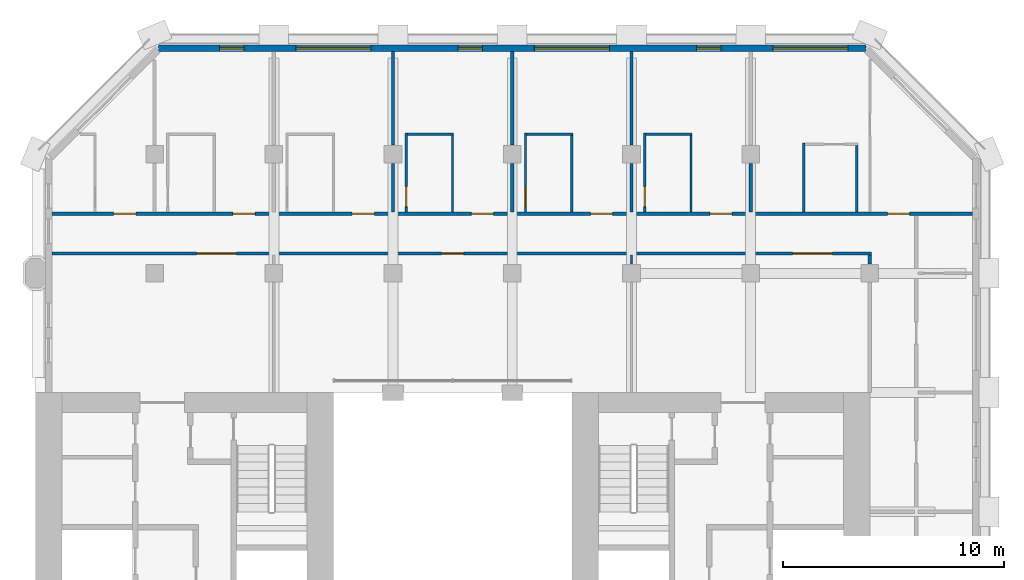
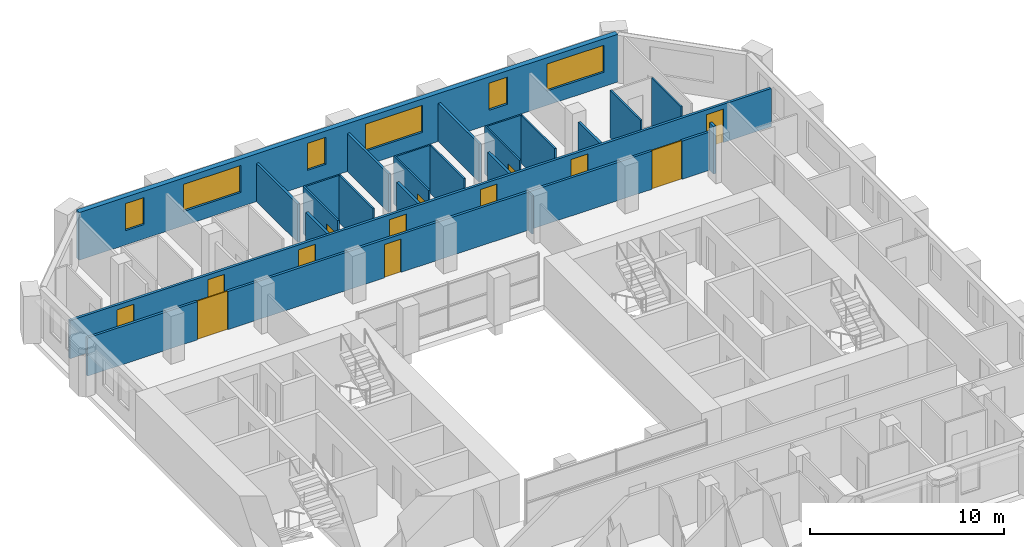
# One storey, part 8 of 12: 23 walls, 13 doors, 6 windows, 19 openings.
"""IFC4 building model written with IfcOpenShell, lengths in metres."""

from ifc_helpers import new_model, si_unit, direction, frame, frame_2d, origin, place, context, subcontext, project, spatial, rectangle, extrude, material, layer, layer_set, type_object, element, fill, save


model = new_model("IFC4")

# Units and contexts
model_context = context("Model", 3, precision=1e-05, world=origin(), true_north=direction((0.0, 1.0)))
body_context = subcontext(model_context, "Body", "Model", "MODEL_VIEW")
ifc_project = project(units=[si_unit("LENGTHUNIT", "METRE"), si_unit("AREAUNIT", "SQUARE_METRE"), si_unit("VOLUMEUNIT", "CUBIC_METRE"), si_unit("PLANEANGLEUNIT", "RADIAN"), si_unit("MASSUNIT", "GRAM", prefix="KILO")], contexts=[model_context])

# Site, building, storey
site_placement = place(None, origin())
site = spatial("IfcSite", under=ifc_project, at=site_placement, CompositionType="ELEMENT")
building_placement = place(site_placement, origin())
building = spatial("IfcBuilding", under=site, at=building_placement, Name="Tabaq Tower and Sports Hall", CompositionType="ELEMENT")
storey_placement = place(building_placement, frame((0.0, 0.0, 187.300048828125)))
storey = spatial("IfcBuildingStorey", under=building, at=storey_placement, Name="L45", CompositionType="ELEMENT", Elevation=187.300048828125)

# Wall, opening, door
ifc_material_1 = material(Name="Gypsum board on steel studs", Category="steel")
ifc_layer_1 = layer(ifc_material_1, 0.10009765625)
ifc_layer_set_1 = layer_set([ifc_layer_1], Name="Partition 100 Gypsum board")
wall_type_1 = type_object("IfcWallType", Name="Partition 100 Gypsum board", PredefinedType="PARTITIONING", material=ifc_layer_set_1)
wall_1_placement = place(storey_placement, frame((22.199951171875, 40.574951171875, 0.0), z_axis=(0.0, 0.0, 1.0), x_axis=(0.0, 1.0, 0.0)))
wall_1 = element("IfcWall", 1, at=wall_1_placement, inside=storey, type_object=wall_type_1, Name="Partition wall L45", PredefinedType="PARTITIONING", context=body_context, shape_type="SweptSolid", body=[
    extrude(rectangle(XDim=3.574951171875, YDim=0.10009765625, at=frame_2d((1.78759765625, 0.0))), origin(), (0.0, 0.0, 1.0), 3.0),
])
opening_1_placement = place(wall_1_placement, frame((0.25, 0.0, 0.0)))
opening_1 = element("IfcOpeningElement", 2, at=opening_1_placement, cuts=wall_1, Name="Opening L45-005", PredefinedType="OPENING", context=body_context, shape_type="SweptSolid", body=[
    extrude(rectangle(XDim=0.89990234375, YDim=2.10009765625, at=frame_2d((0.449951171875, 1.050048828125))), frame((0.0, 0.050048828125, 0.0), z_axis=(0.0, -1.0, 0.0), x_axis=(1.0, 0.0, 0.0)), (0.0, 0.0, 1.0), 0.10009765625),
])
ifc_material_2 = material(Name="Timber leaf in steel frame", Category="steel")
door_type_1 = type_object("IfcDoorType", Name="Internal door 900 left hand", OperationType="SINGLE_SWING_LEFT", PredefinedType="DOOR", material=ifc_material_2)
door_1_placement = place(opening_1_placement, origin())
door_1 = element("IfcDoor", 3, at=door_1_placement, inside=storey, type_object=door_type_1, Name="Internal door L45-005", OperationType="SINGLE_SWING_LEFT", OverallHeight=2.10009765625, OverallWidth=0.89990234375, PredefinedType="DOOR", context=body_context, shape_type="SweptSolid", body=[
    extrude(rectangle(XDim=0.89990234375, YDim=2.10009765625, at=frame_2d((0.449951171875, 1.050048828125))), frame((0.0, 0.02490234375, 0.0), z_axis=(0.0, -1.0, 0.0), x_axis=(1.0, 0.0, 0.0)), (0.0, 0.0, 1.0), 0.050048828125),
])
fill(opening_1, door_1)

# Walls
wall_2_placement = place(storey_placement, frame((22.25, 44.10009765625, 0.0), z_axis=(0.0, 0.0, 1.0), x_axis=(1.0, 0.0, 0.0)))
element("IfcWall", 4, at=wall_2_placement, inside=storey, type_object=wall_type_1, Name="Partition wall L45", PredefinedType="PARTITIONING", context=body_context, shape_type="SweptSolid", body=[
    extrude(rectangle(XDim=2.10009765625, YDim=0.10009765625, at=frame_2d((1.050048828125, 0.0))), origin(), (0.0, 0.0, 1.0), 3.0),
])
wall_3_placement = place(storey_placement, frame((24.300048828125, 44.050048828125, 0.0), z_axis=(0.0, 0.0, 1.0), x_axis=(0.0, -1.0, 0.0)))
element("IfcWall", 5, at=wall_3_placement, inside=storey, type_object=wall_type_1, Name="Partition wall L45", PredefinedType="PARTITIONING", context=body_context, shape_type="SweptSolid", body=[
    extrude(rectangle(XDim=3.47509765625, YDim=0.10009765625, at=frame_2d((1.737548828125, 0.0))), origin(), (0.0, 0.0, 1.0), 3.0),
])

# Wall, opening, door
wall_4_placement = place(storey_placement, frame((27.60009765625, 40.574951171875, 0.0), z_axis=(0.0, 0.0, 1.0), x_axis=(0.0, 1.0, 0.0)))
wall_4 = element("IfcWall", 6, at=wall_4_placement, inside=storey, type_object=wall_type_1, Name="Partition wall L45", PredefinedType="PARTITIONING", context=body_context, shape_type="SweptSolid", body=[
    extrude(rectangle(XDim=3.574951171875, YDim=0.10009765625, at=frame_2d((1.78759765625, 0.0))), origin(), (0.0, 0.0, 1.0), 3.0),
])
opening_2_placement = place(wall_4_placement, frame((0.25, 0.0, 0.0)))
opening_2 = element("IfcOpeningElement", 7, at=opening_2_placement, cuts=wall_4, Name="Opening L45-006", PredefinedType="OPENING", context=body_context, shape_type="SweptSolid", body=[
    extrude(rectangle(XDim=0.89990234375, YDim=2.10009765625, at=frame_2d((0.449951171875, 1.050048828125))), frame((0.0, 0.050048828125, 0.0), z_axis=(0.0, -1.0, 0.0), x_axis=(1.0, 0.0, 0.0)), (0.0, 0.0, 1.0), 0.10009765625),
])
ifc_material_3 = material(Name="Timber leaf in steel frame", Category="steel")
door_type_2 = type_object("IfcDoorType", Name="Internal door 900 right hand", OperationType="SINGLE_SWING_RIGHT", PredefinedType="DOOR", material=ifc_material_3)
door_2_placement = place(opening_2_placement, origin())
door_2 = element("IfcDoor", 8, at=door_2_placement, inside=storey, type_object=door_type_2, Name="Internal door L45-006", OperationType="SINGLE_SWING_RIGHT", OverallHeight=2.10009765625, OverallWidth=0.89990234375, PredefinedType="DOOR", context=body_context, shape_type="SweptSolid", body=[
    extrude(rectangle(XDim=0.89990234375, YDim=2.10009765625, at=frame_2d((0.449951171875, 1.050048828125))), frame((0.0, 0.02490234375, 0.0), z_axis=(0.0, -1.0, 0.0), x_axis=(1.0, 0.0, 0.0)), (0.0, 0.0, 1.0), 0.050048828125),
])
fill(opening_2, door_2)

# Walls
wall_5_placement = place(storey_placement, frame((27.64990234375, 44.10009765625, 0.0), z_axis=(0.0, 0.0, 1.0), x_axis=(1.0, 0.0, 0.0)))
element("IfcWall", 9, at=wall_5_placement, inside=storey, type_object=wall_type_1, Name="Partition wall L45", PredefinedType="PARTITIONING", context=body_context, shape_type="SweptSolid", body=[
    extrude(rectangle(XDim=2.10009765625, YDim=0.10009765625, at=frame_2d((1.050048828125, 0.0))), origin(), (0.0, 0.0, 1.0), 3.0),
])
wall_6_placement = place(storey_placement, frame((29.699951171875, 44.050048828125, 0.0), z_axis=(0.0, 0.0, 1.0), x_axis=(0.0, -1.0, 0.0)))
element("IfcWall", 10, at=wall_6_placement, inside=storey, type_object=wall_type_1, Name="Partition wall L45", PredefinedType="PARTITIONING", context=body_context, shape_type="SweptSolid", body=[
    extrude(rectangle(XDim=3.47509765625, YDim=0.10009765625, at=frame_2d((1.737548828125, 0.0))), origin(), (0.0, 0.0, 1.0), 3.0),
])

# Wall, opening, door
wall_7_placement = place(storey_placement, frame((33.0, 40.574951171875, 0.0), z_axis=(0.0, 0.0, 1.0), x_axis=(0.0, 1.0, 0.0)))
wall_7 = element("IfcWall", 11, at=wall_7_placement, inside=storey, type_object=wall_type_1, Name="Partition wall L45", PredefinedType="PARTITIONING", context=body_context, shape_type="SweptSolid", body=[
    extrude(rectangle(XDim=3.574951171875, YDim=0.10009765625, at=frame_2d((1.78759765625, 0.0))), origin(), (0.0, 0.0, 1.0), 3.0),
])
opening_3_placement = place(wall_7_placement, frame((0.25, 0.0, 0.0)))
opening_3 = element("IfcOpeningElement", 12, at=opening_3_placement, cuts=wall_7, Name="Opening L45-007", PredefinedType="OPENING", context=body_context, shape_type="SweptSolid", body=[
    extrude(rectangle(XDim=0.89990234375, YDim=2.10009765625, at=frame_2d((0.449951171875, 1.050048828125))), frame((0.0, 0.050048828125, 0.0), z_axis=(0.0, -1.0, 0.0), x_axis=(1.0, 0.0, 0.0)), (0.0, 0.0, 1.0), 0.10009765625),
])
door_3_placement = place(opening_3_placement, origin())
door_3 = element("IfcDoor", 13, at=door_3_placement, inside=storey, type_object=door_type_2, Name="Internal door L45-007", OperationType="SINGLE_SWING_RIGHT", OverallHeight=2.10009765625, OverallWidth=0.89990234375, PredefinedType="DOOR", context=body_context, shape_type="SweptSolid", body=[
    extrude(rectangle(XDim=0.89990234375, YDim=2.10009765625, at=frame_2d((0.449951171875, 1.050048828125))), frame((0.0, 0.02490234375, 0.0), z_axis=(0.0, -1.0, 0.0), x_axis=(1.0, 0.0, 0.0)), (0.0, 0.0, 1.0), 0.050048828125),
])
fill(opening_3, door_3)

# Walls
wall_8_placement = place(storey_placement, frame((33.050048828125, 44.10009765625, 0.0), z_axis=(0.0, 0.0, 1.0), x_axis=(1.0, 0.0, 0.0)))
element("IfcWall", 14, at=wall_8_placement, inside=storey, type_object=wall_type_1, Name="Partition wall L45", PredefinedType="PARTITIONING", context=body_context, shape_type="SweptSolid", body=[
    extrude(rectangle(XDim=2.099853515625, YDim=0.10009765625, at=frame_2d((1.0498046875, 0.0))), origin(), (0.0, 0.0, 1.0), 3.0),
])
wall_9_placement = place(storey_placement, frame((35.10009765625, 44.050048828125, 0.0), z_axis=(0.0, 0.0, 1.0), x_axis=(0.0, -1.0, 0.0)))
element("IfcWall", 15, at=wall_9_placement, inside=storey, type_object=wall_type_1, Name="Partition wall L45", PredefinedType="PARTITIONING", context=body_context, shape_type="SweptSolid", body=[
    extrude(rectangle(XDim=3.47509765625, YDim=0.10009765625, at=frame_2d((1.737548828125, 0.0))), origin(), (0.0, 0.0, 1.0), 3.0),
])
wall_10_placement = place(storey_placement, frame((40.199951171875, 40.574951171875, 0.0), z_axis=(0.0, 0.0, 1.0), x_axis=(0.0, 1.0, 0.0)))
element("IfcWall", 16, at=wall_10_placement, inside=storey, type_object=wall_type_1, Name="Partition wall L45", PredefinedType="PARTITIONING", context=body_context, shape_type="SweptSolid", body=[
    extrude(rectangle(XDim=3.125, YDim=0.10009765625, at=frame_2d((1.5625, 0.0))), origin(), (0.0, 0.0, 1.0), 3.0),
])
wall_11_placement = place(storey_placement, frame((42.60009765625, 43.60009765625, 0.0), z_axis=(0.0, 0.0, 1.0), x_axis=(0.0, -1.0, 0.0)))
element("IfcWall", 17, at=wall_11_placement, inside=storey, type_object=wall_type_1, Name="Partition wall L45", PredefinedType="PARTITIONING", context=body_context, shape_type="SweptSolid", body=[
    extrude(rectangle(XDim=3.025146484375, YDim=0.10009765625, at=frame_2d((1.5126953125, 0.0))), origin(), (0.0, 0.0, 1.0), 3.0),
])
wall_12_placement = place(storey_placement, frame((32.39990234375, 38.219970703125, 0.0), z_axis=(0.0, 0.0, 1.0), x_axis=(0.0, 1.0, 0.0)))
element("IfcWall", 18, at=wall_12_placement, inside=storey, type_object=wall_type_1, Name="Partition wall L45", PredefinedType="PARTITIONING", context=body_context, shape_type="SweptSolid", body=[
    extrude(rectangle(XDim=0.405029296875, YDim=0.10009765625, at=frame_2d((0.20263671875, 0.0))), origin(), (0.0, 0.0, 1.0), 2.39990234375),
])
ifc_material_4 = material(Name="Blockwork", Category="masonry")
ifc_layer_2 = layer(ifc_material_4, 0.14990234375)
ifc_layer_set_2 = layer_set([ifc_layer_2], Name="Separating wall 150 Blockwork")
wall_type_2 = type_object("IfcWallType", Name="Separating wall 150 Blockwork", PredefinedType="PARTITIONING", material=ifc_layer_set_2)
wall_13_placement = place(storey_placement, frame((21.60009765625, 40.574951171875, 0.0), z_axis=(0.0, 0.0, 1.0), x_axis=(0.0, 1.0, 0.0)))
element("IfcWall", 19, at=wall_13_placement, inside=storey, type_object=wall_type_2, Name="Separating wall L45", PredefinedType="PARTITIONING", context=body_context, shape_type="SweptSolid", body=[
    extrude(rectangle(XDim=2.205078125, YDim=0.14990234375, at=frame_2d((1.1025390625, 0.0))), origin(), (0.0, 0.0, 1.0), 2.39990234375),
])
wall_14_placement = place(storey_placement, frame((21.60009765625, 43.6201171875, 0.0), z_axis=(0.0, 0.0, 1.0), x_axis=(0.0, 1.0, 0.0)))
element("IfcWall", 20, at=wall_14_placement, inside=storey, type_object=wall_type_2, Name="Separating wall L45", PredefinedType="PARTITIONING", context=body_context, shape_type="SweptSolid", body=[
    extrude(rectangle(XDim=4.22900390625, YDim=0.14990234375, at=frame_2d((2.114501953125, 0.0))), origin(), (0.0, 0.0, 1.0), 2.39990234375),
])
wall_15_placement = place(storey_placement, frame((27.0, 40.574951171875, 0.0), z_axis=(0.0, 0.0, 1.0), x_axis=(0.0, 1.0, 0.0)))
element("IfcWall", 21, at=wall_15_placement, inside=storey, type_object=wall_type_2, Name="Separating wall L45", PredefinedType="PARTITIONING", context=body_context, shape_type="SweptSolid", body=[
    extrude(rectangle(XDim=2.205078125, YDim=0.14990234375, at=frame_2d((1.1025390625, 0.0))), origin(), (0.0, 0.0, 1.0), 2.39990234375),
])
wall_16_placement = place(storey_placement, frame((27.0, 43.6201171875, 0.0), z_axis=(0.0, 0.0, 1.0), x_axis=(0.0, 1.0, 0.0)))
element("IfcWall", 22, at=wall_16_placement, inside=storey, type_object=wall_type_2, Name="Separating wall L45", PredefinedType="PARTITIONING", context=body_context, shape_type="SweptSolid", body=[
    extrude(rectangle(XDim=4.22900390625, YDim=0.14990234375, at=frame_2d((2.114501953125, 0.0))), origin(), (0.0, 0.0, 1.0), 2.39990234375),
])
wall_17_placement = place(storey_placement, frame((32.39990234375, 40.574951171875, 0.0), z_axis=(0.0, 0.0, 1.0), x_axis=(0.0, 1.0, 0.0)))
element("IfcWall", 23, at=wall_17_placement, inside=storey, type_object=wall_type_2, Name="Separating wall L45", PredefinedType="PARTITIONING", context=body_context, shape_type="SweptSolid", body=[
    extrude(rectangle(XDim=2.205078125, YDim=0.14990234375, at=frame_2d((1.1025390625, 0.0))), origin(), (0.0, 0.0, 1.0), 2.39990234375),
])
wall_18_placement = place(storey_placement, frame((32.39990234375, 43.6201171875, 0.0), z_axis=(0.0, 0.0, 1.0), x_axis=(0.0, 1.0, 0.0)))
element("IfcWall", 24, at=wall_18_placement, inside=storey, type_object=wall_type_2, Name="Separating wall L45", PredefinedType="PARTITIONING", context=body_context, shape_type="SweptSolid", body=[
    extrude(rectangle(XDim=4.22900390625, YDim=0.14990234375, at=frame_2d((2.114501953125, 0.0))), origin(), (0.0, 0.0, 1.0), 2.39990234375),
])
wall_19_placement = place(storey_placement, frame((37.800048828125, 40.574951171875, 0.0), z_axis=(0.0, 0.0, 1.0), x_axis=(0.0, 1.0, 0.0)))
element("IfcWall", 25, at=wall_19_placement, inside=storey, type_object=wall_type_2, Name="Separating wall L45", PredefinedType="PARTITIONING", context=body_context, shape_type="SweptSolid", body=[
    extrude(rectangle(XDim=2.205078125, YDim=0.14990234375, at=frame_2d((1.1025390625, 0.0))), origin(), (0.0, 0.0, 1.0), 2.39990234375),
])

# Wall, openings, doors
wall_20_placement = place(storey_placement, frame((47.84912109375, 40.5, 0.0), z_axis=(0.0, 0.0, 1.0), x_axis=(-1.0, 0.0, 0.0)))
wall_20 = element("IfcWall", 26, at=wall_20_placement, inside=storey, type_object=wall_type_2, Name="Separating wall L45", PredefinedType="PARTITIONING", context=body_context, shape_type="SweptSolid", body=[
    extrude(rectangle(XDim=41.6982421875, YDim=0.14990234375, at=frame_2d((20.84912109375, 0.0))), origin(), (0.0, 0.0, 1.0), 2.39990234375),
])
opening_4_placement = place(wall_20_placement, frame((37.89892578125, 0.0, 0.0)))
opening_4 = element("IfcOpeningElement", 27, at=opening_4_placement, cuts=wall_20, Name="Opening L45-023", PredefinedType="OPENING", context=body_context, shape_type="SweptSolid", body=[
    extrude(rectangle(XDim=1.0, YDim=2.10009765625, at=frame_2d((0.5, 1.050048828125))), frame((0.0, 0.074951171875, 0.0), z_axis=(0.0, -1.0, 0.0), x_axis=(1.0, 0.0, 0.0)), (0.0, 0.0, 1.0), 0.14990234375),
])
opening_5_placement = place(wall_20_placement, frame((32.4990234375, 0.0, 0.0)))
opening_5 = element("IfcOpeningElement", 28, at=opening_5_placement, cuts=wall_20, Name="Opening L45-024", PredefinedType="OPENING", context=body_context, shape_type="SweptSolid", body=[
    extrude(rectangle(XDim=1.0, YDim=2.10009765625, at=frame_2d((0.5, 1.050048828125))), frame((0.0, 0.074951171875, 0.0), z_axis=(0.0, -1.0, 0.0), x_axis=(1.0, 0.0, 0.0)), (0.0, 0.0, 1.0), 0.14990234375),
])
opening_6_placement = place(wall_20_placement, frame((27.09912109375, 0.0, 0.0)))
opening_6 = element("IfcOpeningElement", 29, at=opening_6_placement, cuts=wall_20, Name="Opening L45-025", PredefinedType="OPENING", context=body_context, shape_type="SweptSolid", body=[
    extrude(rectangle(XDim=1.0, YDim=2.10009765625, at=frame_2d((0.5, 1.050048828125))), frame((0.0, 0.074951171875, 0.0), z_axis=(0.0, -1.0, 0.0), x_axis=(1.0, 0.0, 0.0)), (0.0, 0.0, 1.0), 0.14990234375),
])
opening_7_placement = place(wall_20_placement, frame((21.698974609375, 0.0, 0.0)))
opening_7 = element("IfcOpeningElement", 30, at=opening_7_placement, cuts=wall_20, Name="Opening L45-026", PredefinedType="OPENING", context=body_context, shape_type="SweptSolid", body=[
    extrude(rectangle(XDim=1.0, YDim=2.10009765625, at=frame_2d((0.5, 1.050048828125))), frame((0.0, 0.074951171875, 0.0), z_axis=(0.0, -1.0, 0.0), x_axis=(1.0, 0.0, 0.0)), (0.0, 0.0, 1.0), 0.14990234375),
])
opening_8_placement = place(wall_20_placement, frame((16.299072265625, 0.0, 0.0)))
opening_8 = element("IfcOpeningElement", 31, at=opening_8_placement, cuts=wall_20, Name="Opening L45-027", PredefinedType="OPENING", context=body_context, shape_type="SweptSolid", body=[
    extrude(rectangle(XDim=1.0, YDim=2.10009765625, at=frame_2d((0.5, 1.050048828125))), frame((0.0, 0.074951171875, 0.0), z_axis=(0.0, -1.0, 0.0), x_axis=(1.0, 0.0, 0.0)), (0.0, 0.0, 1.0), 0.14990234375),
])
opening_9_placement = place(wall_20_placement, frame((10.89892578125, 0.0, 0.0)))
opening_9 = element("IfcOpeningElement", 32, at=opening_9_placement, cuts=wall_20, Name="Opening L45-028", PredefinedType="OPENING", context=body_context, shape_type="SweptSolid", body=[
    extrude(rectangle(XDim=1.0, YDim=2.10009765625, at=frame_2d((0.5, 1.050048828125))), frame((0.0, 0.074951171875, 0.0), z_axis=(0.0, -1.0, 0.0), x_axis=(1.0, 0.0, 0.0)), (0.0, 0.0, 1.0), 0.14990234375),
])
opening_10_placement = place(wall_20_placement, frame((2.84912109375, 0.0, 0.0)))
opening_10 = element("IfcOpeningElement", 33, at=opening_10_placement, cuts=wall_20, Name="Opening L45-030", PredefinedType="OPENING", context=body_context, shape_type="SweptSolid", body=[
    extrude(rectangle(XDim=1.0, YDim=2.10009765625, at=frame_2d((0.5, 1.050048828125))), frame((0.0, 0.074951171875, 0.0), z_axis=(0.0, -1.0, 0.0), x_axis=(1.0, 0.0, 0.0)), (0.0, 0.0, 1.0), 0.14990234375),
])
ifc_material_5 = material(Name="Steel fire door", Category="steel")
door_type_3 = type_object("IfcDoorType", Name="Entrance door 1000 left hand", OperationType="SINGLE_SWING_LEFT", PredefinedType="DOOR", material=ifc_material_5)
door_4_placement = place(opening_5_placement, origin())
door_4 = element("IfcDoor", 34, at=door_4_placement, inside=storey, type_object=door_type_3, Name="Entrance door L45-024", OperationType="SINGLE_SWING_LEFT", OverallHeight=2.10009765625, OverallWidth=1.0, PredefinedType="DOOR", context=body_context, shape_type="SweptSolid", body=[
    extrude(rectangle(XDim=1.0, YDim=2.10009765625, at=frame_2d((0.5, 1.050048828125))), frame((0.0, 0.02490234375, 0.0), z_axis=(0.0, -1.0, 0.0), x_axis=(1.0, 0.0, 0.0)), (0.0, 0.0, 1.0), 0.050048828125),
])
fill(opening_5, door_4)
door_5_placement = place(opening_6_placement, origin())
door_5 = element("IfcDoor", 35, at=door_5_placement, inside=storey, type_object=door_type_3, Name="Entrance door L45-025", OperationType="SINGLE_SWING_LEFT", OverallHeight=2.10009765625, OverallWidth=1.0, PredefinedType="DOOR", context=body_context, shape_type="SweptSolid", body=[
    extrude(rectangle(XDim=1.0, YDim=2.10009765625, at=frame_2d((0.5, 1.050048828125))), frame((0.0, 0.02490234375, 0.0), z_axis=(0.0, -1.0, 0.0), x_axis=(1.0, 0.0, 0.0)), (0.0, 0.0, 1.0), 0.050048828125),
])
fill(opening_6, door_5)
door_6_placement = place(opening_9_placement, origin())
door_6 = element("IfcDoor", 36, at=door_6_placement, inside=storey, type_object=door_type_3, Name="Entrance door L45-028", OperationType="SINGLE_SWING_LEFT", OverallHeight=2.10009765625, OverallWidth=1.0, PredefinedType="DOOR", context=body_context, shape_type="SweptSolid", body=[
    extrude(rectangle(XDim=1.0, YDim=2.10009765625, at=frame_2d((0.5, 1.050048828125))), frame((0.0, 0.02490234375, 0.0), z_axis=(0.0, -1.0, 0.0), x_axis=(1.0, 0.0, 0.0)), (0.0, 0.0, 1.0), 0.050048828125),
])
fill(opening_9, door_6)
ifc_material_6 = material(Name="Steel fire door", Category="steel")
door_type_4 = type_object("IfcDoorType", Name="Entrance door 1000 right hand", OperationType="SINGLE_SWING_RIGHT", PredefinedType="DOOR", material=ifc_material_6)
door_7_placement = place(opening_4_placement, origin())
door_7 = element("IfcDoor", 37, at=door_7_placement, inside=storey, type_object=door_type_4, Name="Entrance door L45-023", OperationType="SINGLE_SWING_RIGHT", OverallHeight=2.10009765625, OverallWidth=1.0, PredefinedType="DOOR", context=body_context, shape_type="SweptSolid", body=[
    extrude(rectangle(XDim=1.0, YDim=2.10009765625, at=frame_2d((0.5, 1.050048828125))), frame((0.0, 0.02490234375, 0.0), z_axis=(0.0, -1.0, 0.0), x_axis=(1.0, 0.0, 0.0)), (0.0, 0.0, 1.0), 0.050048828125),
])
fill(opening_4, door_7)
door_8_placement = place(opening_7_placement, origin())
door_8 = element("IfcDoor", 38, at=door_8_placement, inside=storey, type_object=door_type_4, Name="Entrance door L45-026", OperationType="SINGLE_SWING_RIGHT", OverallHeight=2.10009765625, OverallWidth=1.0, PredefinedType="DOOR", context=body_context, shape_type="SweptSolid", body=[
    extrude(rectangle(XDim=1.0, YDim=2.10009765625, at=frame_2d((0.5, 1.050048828125))), frame((0.0, 0.02490234375, 0.0), z_axis=(0.0, -1.0, 0.0), x_axis=(1.0, 0.0, 0.0)), (0.0, 0.0, 1.0), 0.050048828125),
])
fill(opening_7, door_8)
door_9_placement = place(opening_8_placement, origin())
door_9 = element("IfcDoor", 39, at=door_9_placement, inside=storey, type_object=door_type_4, Name="Entrance door L45-027", OperationType="SINGLE_SWING_RIGHT", OverallHeight=2.10009765625, OverallWidth=1.0, PredefinedType="DOOR", context=body_context, shape_type="SweptSolid", body=[
    extrude(rectangle(XDim=1.0, YDim=2.10009765625, at=frame_2d((0.5, 1.050048828125))), frame((0.0, 0.02490234375, 0.0), z_axis=(0.0, -1.0, 0.0), x_axis=(1.0, 0.0, 0.0)), (0.0, 0.0, 1.0), 0.050048828125),
])
fill(opening_8, door_9)
door_10_placement = place(opening_10_placement, origin())
door_10 = element("IfcDoor", 40, at=door_10_placement, inside=storey, type_object=door_type_4, Name="Entrance door L45-030", OperationType="SINGLE_SWING_RIGHT", OverallHeight=2.10009765625, OverallWidth=1.0, PredefinedType="DOOR", context=body_context, shape_type="SweptSolid", body=[
    extrude(rectangle(XDim=1.0, YDim=2.10009765625, at=frame_2d((0.5, 1.050048828125))), frame((0.0, 0.02490234375, 0.0), z_axis=(0.0, -1.0, 0.0), x_axis=(1.0, 0.0, 0.0)), (0.0, 0.0, 1.0), 0.050048828125),
])
fill(opening_10, door_10)

wall_21_placement = place(storey_placement, frame((43.27490234375, 38.699951171875, 0.0), z_axis=(0.0, 0.0, 1.0), x_axis=(-1.0, 0.0, 0.0)))
wall_21 = element("IfcWall", 41, at=wall_21_placement, inside=storey, type_object=wall_type_2, Name="Separating wall L45", PredefinedType="PARTITIONING", context=body_context, shape_type="SweptSolid", body=[
    extrude(rectangle(XDim=37.1240234375, YDim=0.14990234375, at=frame_2d((18.56201171875, 0.0))), origin(), (0.0, 0.0, 1.0), 2.39990234375),
])
opening_11_placement = place(wall_21_placement, frame((18.47509765625, 0.0, 0.0)))
opening_11 = element("IfcOpeningElement", 42, at=opening_11_placement, cuts=wall_21, Name="Opening L45-009", PredefinedType="OPENING", context=body_context, shape_type="SweptSolid", body=[
    extrude(rectangle(XDim=1.0, YDim=2.10009765625, at=frame_2d((0.5, 1.050048828125))), frame((0.0, 0.074951171875, 0.0), z_axis=(0.0, -1.0, 0.0), x_axis=(1.0, 0.0, 0.0)), (0.0, 0.0, 1.0), 0.14990234375),
])
opening_12_placement = place(wall_21_placement, frame((28.77490234375, 0.0, 0.0)))
opening_12 = element("IfcOpeningElement", 43, at=opening_12_placement, cuts=wall_21, Name="Opening L45-031", PredefinedType="OPENING", context=body_context, shape_type="SweptSolid", body=[
    extrude(rectangle(XDim=1.800048828125, YDim=2.39990234375, at=frame_2d((0.89990234375, 1.199951171875))), frame((0.0, 0.074951171875, 0.0), z_axis=(0.0, -1.0, 0.0), x_axis=(1.0, 0.0, 0.0)), (0.0, 0.0, 1.0), 0.14990234375),
])
opening_13_placement = place(wall_21_placement, frame((1.77490234375, 0.0, 0.0)))
opening_13 = element("IfcOpeningElement", 44, at=opening_13_placement, cuts=wall_21, Name="Opening L45-032", PredefinedType="OPENING", context=body_context, shape_type="SweptSolid", body=[
    extrude(rectangle(XDim=1.800048828125, YDim=2.39990234375, at=frame_2d((0.89990234375, 1.199951171875))), frame((0.0, 0.074951171875, 0.0), z_axis=(0.0, -1.0, 0.0), x_axis=(1.0, 0.0, 0.0)), (0.0, 0.0, 1.0), 0.14990234375),
])
ifc_material_7 = material(Name="Timber leaf in steel frame", Category="steel")
door_type_5 = type_object("IfcDoorType", Name="Internal door 1000 left hand", OperationType="SINGLE_SWING_LEFT", PredefinedType="DOOR", material=ifc_material_7)
door_11_placement = place(opening_11_placement, origin())
door_11 = element("IfcDoor", 45, at=door_11_placement, inside=storey, type_object=door_type_5, Name="Internal door L45-009", OperationType="SINGLE_SWING_LEFT", OverallHeight=2.10009765625, OverallWidth=1.0, PredefinedType="DOOR", context=body_context, shape_type="SweptSolid", body=[
    extrude(rectangle(XDim=1.0, YDim=2.10009765625, at=frame_2d((0.5, 1.050048828125))), frame((0.0, 0.02490234375, 0.0), z_axis=(0.0, -1.0, 0.0), x_axis=(1.0, 0.0, 0.0)), (0.0, 0.0, 1.0), 0.050048828125),
])
fill(opening_11, door_11)
ifc_material_8 = material(Name="Timber leaf in steel frame", Category="steel")
door_type_6 = type_object("IfcDoorType", Name="Internal door 1800", OperationType="DOUBLE_DOOR_SINGLE_SWING", PredefinedType="DOOR", material=ifc_material_8)
door_12_placement = place(opening_12_placement, origin())
door_12 = element("IfcDoor", 46, at=door_12_placement, inside=storey, type_object=door_type_6, Name="Internal door L45-031", OperationType="DOUBLE_DOOR_SINGLE_SWING", OverallHeight=2.39990234375, OverallWidth=1.800048828125, PredefinedType="DOOR", context=body_context, shape_type="SweptSolid", body=[
    extrude(rectangle(XDim=1.800048828125, YDim=2.39990234375, at=frame_2d((0.89990234375, 1.199951171875))), frame((0.0, 0.02490234375, 0.0), z_axis=(0.0, -1.0, 0.0), x_axis=(1.0, 0.0, 0.0)), (0.0, 0.0, 1.0), 0.050048828125),
])
fill(opening_12, door_12)
door_13_placement = place(opening_13_placement, origin())
door_13 = element("IfcDoor", 47, at=door_13_placement, inside=storey, type_object=door_type_6, Name="Internal door L45-032", OperationType="DOUBLE_DOOR_SINGLE_SWING", OverallHeight=2.39990234375, OverallWidth=1.800048828125, PredefinedType="DOOR", context=body_context, shape_type="SweptSolid", body=[
    extrude(rectangle(XDim=1.800048828125, YDim=2.39990234375, at=frame_2d((0.89990234375, 1.199951171875))), frame((0.0, 0.02490234375, 0.0), z_axis=(0.0, -1.0, 0.0), x_axis=(1.0, 0.0, 0.0)), (0.0, 0.0, 1.0), 0.050048828125),
])
fill(opening_13, door_13)

# Wall
wall_22_placement = place(storey_placement, frame((43.199951171875, 38.219970703125, 0.0), z_axis=(0.0, 0.0, 1.0), x_axis=(0.0, 1.0, 0.0)))
element("IfcWall", 48, at=wall_22_placement, inside=storey, type_object=wall_type_2, Name="Separating wall L45", PredefinedType="PARTITIONING", context=body_context, shape_type="SweptSolid", body=[
    extrude(rectangle(XDim=0.405029296875, YDim=0.14990234375, at=frame_2d((0.20263671875, 0.0))), origin(), (0.0, 0.0, 1.0), 3.0),
])

# Wall, openings, windows
ifc_material_9 = material(Name="White precast concrete C60/75", Category="concrete")
ifc_layer_3 = layer(ifc_material_9, 0.300048828125)
ifc_layer_set_3 = layer_set([ifc_layer_3], Name="White precast concrete C60/75 external wall 300")
wall_type_3 = type_object("IfcWallType", Name="White precast concrete C60/75 external wall 300", PredefinedType="SOLIDWALL", material=ifc_layer_set_3)
wall_23_placement = place(storey_placement, frame((43.013671875, 48.0, 0.0), z_axis=(0.0, 0.0, 1.0), x_axis=(-1.0, 0.0, 0.0)))
wall_23 = element("IfcWall", 49, at=wall_23_placement, inside=storey, type_object=wall_type_3, Name="External Wall L45 N", PredefinedType="SOLIDWALL", context=body_context, shape_type="SweptSolid", body=[
    extrude(rectangle(XDim=32.02734375, YDim=0.300048828125, at=frame_2d((16.013671875, 0.0))), origin(), (0.0, 0.0, 1.0), 3.0),
])
opening_14_placement = place(wall_23_placement, frame((0.813720703125, 0.0, 0.89990234375)))
opening_14 = element("IfcOpeningElement", 50, at=opening_14_placement, cuts=wall_23, Name="Opening W1A", PredefinedType="OPENING", context=body_context, shape_type="SweptSolid", body=[
    extrude(rectangle(XDim=3.39990234375, YDim=1.699951171875, at=frame_2d((1.699951171875, 0.85009765625))), frame((0.0, 0.16015625, 0.0), z_axis=(0.0, -1.0, 0.0), x_axis=(1.0, 0.0, 0.0)), (0.0, 0.0, 1.0), 0.320068359375),
])
opening_15_placement = place(wall_23_placement, frame((6.563720703125, 0.0, 0.89990234375)))
opening_15 = element("IfcOpeningElement", 51, at=opening_15_placement, cuts=wall_23, Name="Opening W1B", PredefinedType="OPENING", context=body_context, shape_type="SweptSolid", body=[
    extrude(rectangle(XDim=1.10009765625, YDim=1.699951171875, at=frame_2d((0.550048828125, 0.85009765625))), frame((0.0, 0.16015625, 0.0), z_axis=(0.0, -1.0, 0.0), x_axis=(1.0, 0.0, 0.0)), (0.0, 0.0, 1.0), 0.320068359375),
])
opening_16_placement = place(wall_23_placement, frame((11.613525390625, 0.0, 0.89990234375)))
opening_16 = element("IfcOpeningElement", 52, at=opening_16_placement, cuts=wall_23, Name="Opening W1A", PredefinedType="OPENING", context=body_context, shape_type="SweptSolid", body=[
    extrude(rectangle(XDim=3.39990234375, YDim=1.699951171875, at=frame_2d((1.699951171875, 0.85009765625))), frame((0.0, 0.16015625, 0.0), z_axis=(0.0, -1.0, 0.0), x_axis=(1.0, 0.0, 0.0)), (0.0, 0.0, 1.0), 0.320068359375),
])
opening_17_placement = place(wall_23_placement, frame((17.363525390625, 0.0, 0.89990234375)))
opening_17 = element("IfcOpeningElement", 53, at=opening_17_placement, cuts=wall_23, Name="Opening W1B", PredefinedType="OPENING", context=body_context, shape_type="SweptSolid", body=[
    extrude(rectangle(XDim=1.10009765625, YDim=1.699951171875, at=frame_2d((0.550048828125, 0.85009765625))), frame((0.0, 0.16015625, 0.0), z_axis=(0.0, -1.0, 0.0), x_axis=(1.0, 0.0, 0.0)), (0.0, 0.0, 1.0), 0.320068359375),
])
opening_18_placement = place(wall_23_placement, frame((22.41357421875, 0.0, 0.89990234375)))
opening_18 = element("IfcOpeningElement", 54, at=opening_18_placement, cuts=wall_23, Name="Opening W1A", PredefinedType="OPENING", context=body_context, shape_type="SweptSolid", body=[
    extrude(rectangle(XDim=3.39990234375, YDim=1.699951171875, at=frame_2d((1.699951171875, 0.85009765625))), frame((0.0, 0.16015625, 0.0), z_axis=(0.0, -1.0, 0.0), x_axis=(1.0, 0.0, 0.0)), (0.0, 0.0, 1.0), 0.320068359375),
])
opening_19_placement = place(wall_23_placement, frame((28.16357421875, 0.0, 0.89990234375)))
opening_19 = element("IfcOpeningElement", 55, at=opening_19_placement, cuts=wall_23, Name="Opening W1B", PredefinedType="OPENING", context=body_context, shape_type="SweptSolid", body=[
    extrude(rectangle(XDim=1.10009765625, YDim=1.699951171875, at=frame_2d((0.550048828125, 0.85009765625))), frame((0.0, 0.16015625, 0.0), z_axis=(0.0, -1.0, 0.0), x_axis=(1.0, 0.0, 0.0)), (0.0, 0.0, 1.0), 0.320068359375),
])
ifc_material_10 = material(Name="Aluminium framed clear glazing", Category="aluminium")
window_type_1 = type_object("IfcWindowType", Name="Window W1A", PartitioningType="SINGLE_PANEL", PredefinedType="WINDOW", material=ifc_material_10)
window_1_placement = place(opening_14_placement, origin())
window_1 = element("IfcWindow", 56, at=window_1_placement, inside=storey, type_object=window_type_1, Name="Window W1A L45", OverallHeight=1.699951171875, OverallWidth=3.39990234375, PartitioningType="SINGLE_PANEL", PredefinedType="WINDOW", context=body_context, shape_type="SweptSolid", body=[
    extrude(rectangle(XDim=3.39990234375, YDim=1.699951171875, at=frame_2d((1.699951171875, 0.85009765625))), frame((0.0, 0.030029296875, 0.0), z_axis=(0.0, -1.0, 0.0), x_axis=(1.0, 0.0, 0.0)), (0.0, 0.0, 1.0), 0.06005859375),
])
fill(opening_14, window_1)
window_2_placement = place(opening_16_placement, origin())
window_2 = element("IfcWindow", 57, at=window_2_placement, inside=storey, type_object=window_type_1, Name="Window W1A L45", OverallHeight=1.699951171875, OverallWidth=3.39990234375, PartitioningType="SINGLE_PANEL", PredefinedType="WINDOW", context=body_context, shape_type="SweptSolid", body=[
    extrude(rectangle(XDim=3.39990234375, YDim=1.699951171875, at=frame_2d((1.699951171875, 0.85009765625))), frame((0.0, 0.030029296875, 0.0), z_axis=(0.0, -1.0, 0.0), x_axis=(1.0, 0.0, 0.0)), (0.0, 0.0, 1.0), 0.06005859375),
])
fill(opening_16, window_2)
window_3_placement = place(opening_18_placement, origin())
window_3 = element("IfcWindow", 58, at=window_3_placement, inside=storey, type_object=window_type_1, Name="Window W1A L45", OverallHeight=1.699951171875, OverallWidth=3.39990234375, PartitioningType="SINGLE_PANEL", PredefinedType="WINDOW", context=body_context, shape_type="SweptSolid", body=[
    extrude(rectangle(XDim=3.39990234375, YDim=1.699951171875, at=frame_2d((1.699951171875, 0.85009765625))), frame((0.0, 0.030029296875, 0.0), z_axis=(0.0, -1.0, 0.0), x_axis=(1.0, 0.0, 0.0)), (0.0, 0.0, 1.0), 0.06005859375),
])
fill(opening_18, window_3)
ifc_material_11 = material(Name="Aluminium framed clear glazing", Category="aluminium")
window_type_2 = type_object("IfcWindowType", Name="Window W1B", PartitioningType="SINGLE_PANEL", PredefinedType="WINDOW", material=ifc_material_11)
window_4_placement = place(opening_15_placement, origin())
window_4 = element("IfcWindow", 59, at=window_4_placement, inside=storey, type_object=window_type_2, Name="Window W1B L45", OverallHeight=1.699951171875, OverallWidth=1.10009765625, PartitioningType="SINGLE_PANEL", PredefinedType="WINDOW", context=body_context, shape_type="SweptSolid", body=[
    extrude(rectangle(XDim=1.10009765625, YDim=1.699951171875, at=frame_2d((0.550048828125, 0.85009765625))), frame((0.0, 0.030029296875, 0.0), z_axis=(0.0, -1.0, 0.0), x_axis=(1.0, 0.0, 0.0)), (0.0, 0.0, 1.0), 0.06005859375),
])
fill(opening_15, window_4)
window_5_placement = place(opening_17_placement, origin())
window_5 = element("IfcWindow", 60, at=window_5_placement, inside=storey, type_object=window_type_2, Name="Window W1B L45", OverallHeight=1.699951171875, OverallWidth=1.10009765625, PartitioningType="SINGLE_PANEL", PredefinedType="WINDOW", context=body_context, shape_type="SweptSolid", body=[
    extrude(rectangle(XDim=1.10009765625, YDim=1.699951171875, at=frame_2d((0.550048828125, 0.85009765625))), frame((0.0, 0.030029296875, 0.0), z_axis=(0.0, -1.0, 0.0), x_axis=(1.0, 0.0, 0.0)), (0.0, 0.0, 1.0), 0.06005859375),
])
fill(opening_17, window_5)
window_6_placement = place(opening_19_placement, origin())
window_6 = element("IfcWindow", 61, at=window_6_placement, inside=storey, type_object=window_type_2, Name="Window W1B L45", OverallHeight=1.699951171875, OverallWidth=1.10009765625, PartitioningType="SINGLE_PANEL", PredefinedType="WINDOW", context=body_context, shape_type="SweptSolid", body=[
    extrude(rectangle(XDim=1.10009765625, YDim=1.699951171875, at=frame_2d((0.550048828125, 0.85009765625))), frame((0.0, 0.030029296875, 0.0), z_axis=(0.0, -1.0, 0.0), x_axis=(1.0, 0.0, 0.0)), (0.0, 0.0, 1.0), 0.06005859375),
])
fill(opening_19, window_6)

save(model, "model.ifc")
